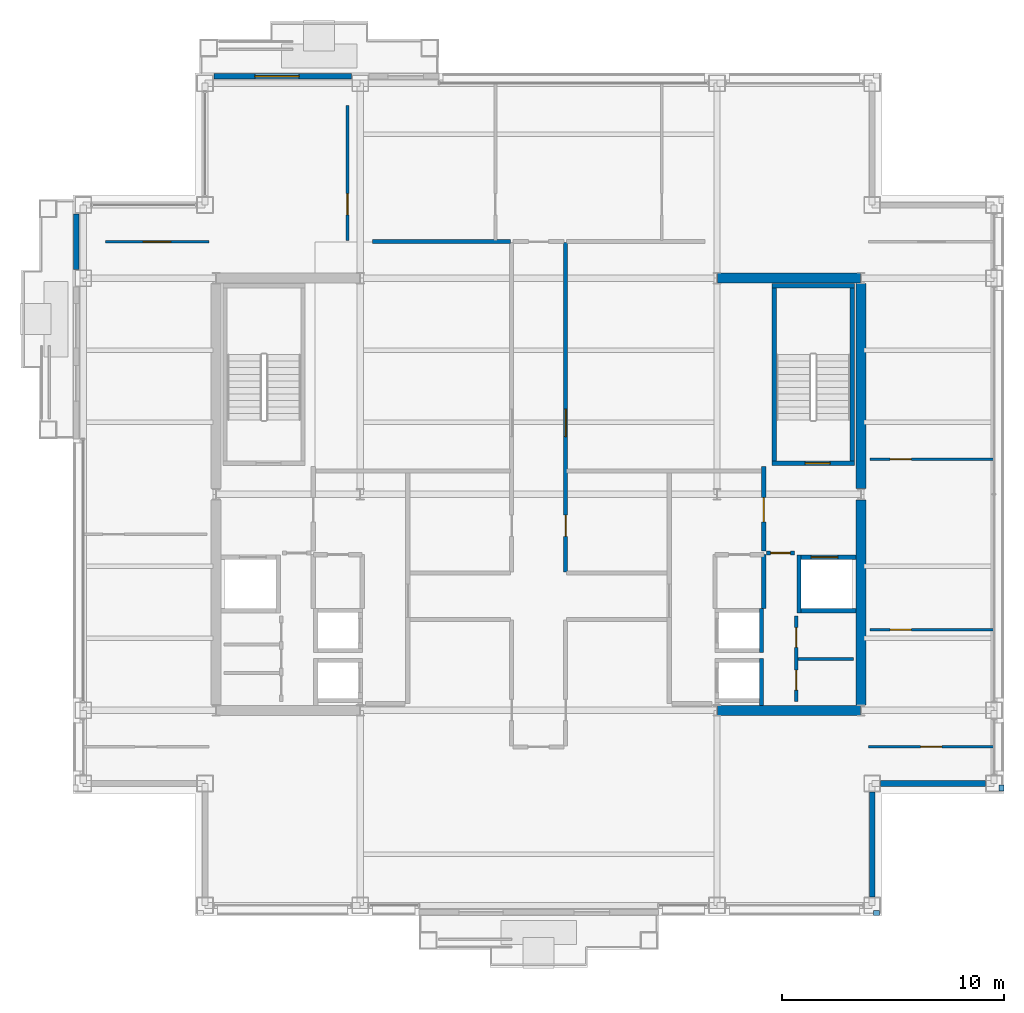
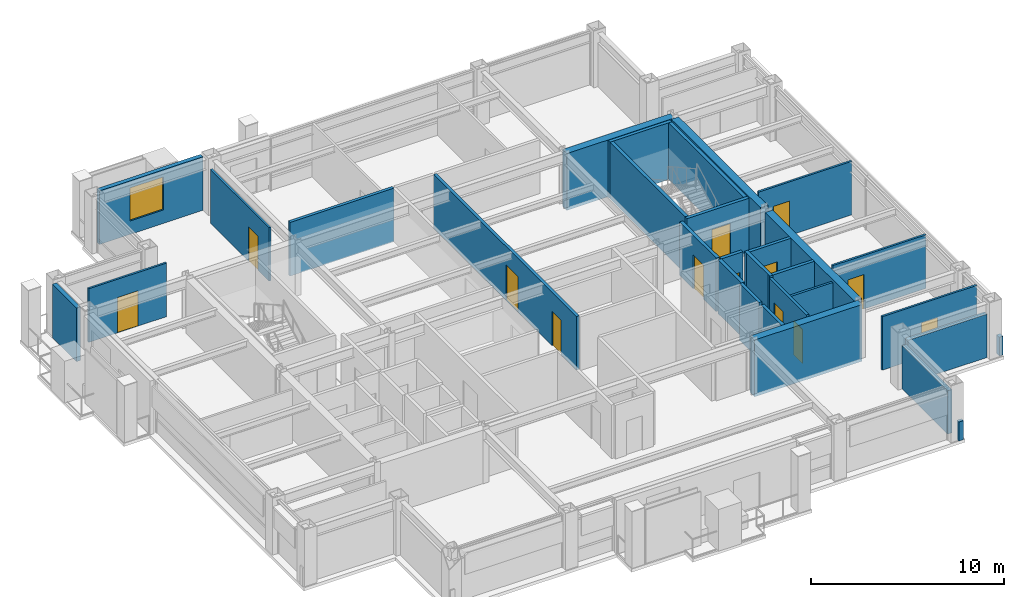
# One storey, part 26 of 30: 31 walls, 13 doors, 1 window, 14 openings.
"""IFC4 building model written with IfcOpenShell, lengths in metres."""

from ifc_helpers import new_model, si_unit, direction, frame, frame_2d, origin, place, context, subcontext, project, spatial, rectangle, extrude, material, layer, layer_set, type_object, element, fill, save


model = new_model("IFC4")

# Units and contexts
model_context = context("Model", 3, precision=1e-05, world=origin(), true_north=direction((0.0, 1.0)))
body_context = subcontext(model_context, "Body", "Model", "MODEL_VIEW")
ifc_project = project(units=[si_unit("LENGTHUNIT", "METRE"), si_unit("AREAUNIT", "SQUARE_METRE"), si_unit("VOLUMEUNIT", "CUBIC_METRE"), si_unit("PLANEANGLEUNIT", "RADIAN"), si_unit("MASSUNIT", "GRAM", prefix="KILO")], contexts=[model_context])

# Site, building, storey
site_placement = place(None, origin())
site = spatial("IfcSite", under=ifc_project, at=site_placement, CompositionType="ELEMENT")
building_placement = place(site_placement, origin())
building = spatial("IfcBuilding", under=site, at=building_placement, Name="Brelmoor Portico Tower", CompositionType="ELEMENT")
storey_placement = place(building_placement, frame((0.0, 0.0, 169.5)))
storey = spatial("IfcBuildingStorey", under=building, at=storey_placement, Name="L44", CompositionType="ELEMENT", Elevation=169.5)

# Walls
ifc_material_1 = material(Name="Concrete C50", Category="concrete")
ifc_layer_1 = layer(ifc_material_1, 0.449951171875)
ifc_layer_set_1 = layer_set([ifc_layer_1], Name="Concrete C50")
wall_type_1 = type_object("IfcWallType", Name="WL-CORE-450", PredefinedType="SHEAR", material=ifc_layer_set_1)
for number, where, z_axis, x_axis, name in (
    (1, (8.070068359375, -9.75, -0.199951171875), (0.0, 0.0, 1.0), (1.0, 0.0, 0.0), "L44 EC South Shear Wall"),
    (2, (8.070068359375, 9.75, -0.199951171875), (0.0, 0.0, 1.0), (1.0, 0.0, 0.0), "L44 EC North Shear Wall"),
):
    element("IfcWall", number, at=place(storey_placement, frame(where, z_axis=z_axis, x_axis=x_axis)), inside=storey, type_object=wall_type_1, Name=name, PredefinedType="SHEAR", context=body_context, shape_type="SweptSolid", body=[
        extrude(rectangle(XDim=6.4599609375, YDim=0.449951171875, at=frame_2d((3.22998046875, 0.0))), origin(), (0.0, 0.0, 1.0), 3.599853515625),
    ])
for number, where, z_axis, x_axis, name in (
    (3, (14.550048828125, -9.5, -0.199951171875), (0.0, 0.0, 1.0), (0.0, 1.0, 0.0), "L44 EC Outer South Shear Wall"),
    (4, (14.550048828125, 0.25, -0.199951171875), (0.0, 0.0, 1.0), (0.0, 1.0, 0.0), "L44 EC Outer North Shear Wall"),
):
    element("IfcWall", number, at=place(storey_placement, frame(where, z_axis=z_axis, x_axis=x_axis)), inside=storey, type_object=wall_type_1, Name=name, PredefinedType="SHEAR", context=body_context, shape_type="SweptSolid", body=[
        extrude(rectangle(XDim=9.25, YDim=0.449951171875, at=frame_2d((4.625, 0.0))), origin(), (0.0, 0.0, 1.0), 3.599853515625),
    ])

# Wall, opening, window
ifc_material_2 = material(Name="Precast Concrete C40 Insulated Facade Wall", Category="concrete")
ifc_layer_2 = layer(ifc_material_2, 0.25)
ifc_layer_set_2 = layer_set([ifc_layer_2], Name="Precast Concrete C40 Insulated Facade Wall")
wall_type_2 = type_object("IfcWallType", Name="WL-EXT-250", PredefinedType="STANDARD", material=ifc_layer_set_2)
wall_1_placement = place(storey_placement, frame((-14.655029296875, 18.860107421875, 0.0), z_axis=(0.0, 0.0, 1.0), x_axis=(1.0, 0.0, 0.0)))
wall_1 = element("IfcWall", 5, at=wall_1_placement, inside=storey, type_object=wall_type_2, Name="L44 Loggia Threshold Wall N-1", PredefinedType="STANDARD", context=body_context, shape_type="SweptSolid", body=[
    extrude(rectangle(XDim=6.2099609375, YDim=0.25, at=frame_2d((3.10498046875, 0.0))), origin(), (0.0, 0.0, 1.0), 3.39990234375),
])
opening_1_placement = place(wall_1_placement, frame((1.85498046875, 0.0, 0.85009765625)))
opening_1 = element("IfcOpeningElement", 6, at=opening_1_placement, cuts=wall_1, Name="Opening W-03", PredefinedType="OPENING", context=body_context, shape_type="SweptSolid", body=[
    extrude(rectangle(XDim=2.0, YDim=2.10009765625, at=frame_2d((1.0, 1.050048828125))), frame((0.0, 0.135009765625, 0.0), z_axis=(0.0, -1.0, 0.0), x_axis=(1.0, 0.0, 0.0)), (0.0, 0.0, 1.0), 0.27001953125),
])
ifc_material_3 = material(Name="Thermally Broken Aluminium Low-E Window", Category="aluminium")
window_type = type_object("IfcWindowType", Name="WN-LOGGIA-2000x2100", PartitioningType="SINGLE_PANEL", PredefinedType="WINDOW", material=ifc_material_3)
window_placement = place(opening_1_placement, origin())
window = element("IfcWindow", 7, at=window_placement, inside=storey, type_object=window_type, Name="L44 Loggia Window N", OverallHeight=2.10009765625, OverallWidth=2.0, PartitioningType="SINGLE_PANEL", PredefinedType="WINDOW", context=body_context, shape_type="SweptSolid", body=[
    extrude(rectangle(XDim=2.0, YDim=2.10009765625, at=frame_2d((1.0, 1.050048828125))), frame((0.0, 0.030029296875, 0.0), z_axis=(0.0, -1.0, 0.0), x_axis=(1.0, 0.0, 0.0)), (0.0, 0.0, 1.0), 0.06005859375),
])
fill(opening_1, window)

# Walls
wall_2_placement = place(storey_placement, frame((-20.860107421875, 10.14501953125, 0.0), z_axis=(0.0, 0.0, 1.0), x_axis=(0.0, 1.0, 0.0)))
element("IfcWall", 8, at=wall_2_placement, inside=storey, type_object=wall_type_2, Name="L44 Loggia Threshold Wall W-2", PredefinedType="STANDARD", context=body_context, shape_type="SweptSolid", body=[
    extrude(rectangle(XDim=2.510009765625, YDim=0.25, at=frame_2d((1.2548828125, 0.0))), origin(), (0.0, 0.0, 1.0), 3.39990234375),
])
for number, where, z_axis, x_axis, name in (
    (9, (15.43505859375, -13.050048828125, 0.0), (0.0, 0.0, 1.0), (1.0, 0.0, 0.0), "L44 Corner Notch Facade Wall NSEH1"),
    (10, (15.050048828125, -18.1650390625, 0.0), (0.0, 0.0, 1.0), (0.0, 1.0, 0.0), "L44 Corner Notch Facade Wall NSEV1"),
):
    element("IfcWall", number, at=place(storey_placement, frame(where, z_axis=z_axis, x_axis=x_axis)), inside=storey, type_object=wall_type_2, Name=name, PredefinedType="STANDARD", context=body_context, shape_type="SweptSolid", body=[
        extrude(rectangle(XDim=4.72998046875, YDim=0.25, at=frame_2d((2.364990234375, 0.0))), origin(), (0.0, 0.0, 1.0), 2.75),
    ])
ifc_material_4 = material(Name="Concrete C40 Parapet Upstand", Category="concrete")
ifc_layer_3 = layer(ifc_material_4, 0.219970703125)
ifc_layer_set_3 = layer_set([ifc_layer_3], Name="Concrete C40 Parapet Upstand")
wall_type_3 = type_object("IfcWallType", Name="WL-PARAPET-220", PredefinedType="PARAPET", material=ifc_layer_set_3)
for number, where, z_axis, x_axis, name in (
    (11, (15.1201171875, -18.889892578125, 0.0), (0.0, 0.0, 1.0), (1.0, 0.0, 0.0), "L44 Chamfer Vertex Parapet Pier SE1"),
    (12, (20.889892578125, -13.389892578125, 0.0), (0.0, 0.0, 1.0), (0.0, 1.0, 0.0), "L44 Chamfer Vertex Parapet Pier SE2"),
):
    element("IfcWall", number, at=place(storey_placement, frame(where, z_axis=z_axis, x_axis=x_axis)), inside=storey, type_object=wall_type_3, Name=name, PredefinedType="PARAPET", context=body_context, shape_type="SweptSolid", body=[
        extrude(rectangle(XDim=0.269775390625, YDim=0.219970703125, at=frame_2d((0.134765625, 0.0))), origin(), (0.0, 0.0, 1.0), 1.199951171875),
    ])

# Wall, opening, door
ifc_material_5 = material(Name="Lightweight Gypsum Office Partition", Category="gypsum")
ifc_layer_4 = layer(ifc_material_5, 0.1201171875)
ifc_layer_set_4 = layer_set([ifc_layer_4], Name="Lightweight Gypsum Office Partition")
wall_type_4 = type_object("IfcWallType", Name="WL-PART-120", PredefinedType="PARTITIONING", material=ifc_layer_set_4)
wall_3_placement = place(storey_placement, frame((-8.624267578125, 11.4599609375, 0.0), z_axis=(0.0, 0.0, 1.0), x_axis=(0.0, 1.0, 0.0)))
wall_3 = element("IfcWall", 13, at=wall_3_placement, inside=storey, type_object=wall_type_4, Name="L44 North Suite Partition 1", PredefinedType="PARTITIONING", context=body_context, shape_type="SweptSolid", body=[
    extrude(rectangle(XDim=6.090087890625, YDim=0.1201171875, at=frame_2d((3.044921875, 0.0))), origin(), (0.0, 0.0, 1.0), 3.39990234375),
])
opening_2_placement = place(wall_3_placement, frame((1.14990234375, 0.0, 0.0)))
opening_2 = element("IfcOpeningElement", 14, at=opening_2_placement, cuts=wall_3, Name="Opening D-IN2", PredefinedType="OPENING", context=body_context, shape_type="SweptSolid", body=[
    extrude(rectangle(XDim=0.9599609375, YDim=2.179931640625, at=frame_2d((0.47998046875, 1.08984375))), frame((0.0, 0.070068359375, 0.0), z_axis=(0.0, -1.0, 0.0), x_axis=(1.0, 0.0, 0.0)), (0.0, 0.0, 1.0), 0.14013671875),
])
ifc_material_6 = material(Name="Lacquered Timber Suite Door", Category="wood")
door_type_1 = type_object("IfcDoorType", Name="DR-INT-950", OperationType="NOTDEFINED", PredefinedType="DOOR", material=ifc_material_6)
door_1_placement = place(opening_2_placement, origin())
door_1 = element("IfcDoor", 15, at=door_1_placement, inside=storey, type_object=door_type_1, Name="D-1882 L44 North Suite Connecting Door 1", OperationType="SINGLE_SWING_LEFT", OverallHeight=2.179931640625, OverallWidth=0.9599609375, PredefinedType="DOOR", context=body_context, shape_type="SweptSolid", body=[
    extrude(rectangle(XDim=0.9599609375, YDim=2.179931640625, at=frame_2d((0.47998046875, 1.08984375))), frame((0.0, 0.02490234375, 0.0), z_axis=(0.0, -1.0, 0.0), x_axis=(1.0, 0.0, 0.0)), (0.0, 0.0, 1.0), 0.050048828125),
])
fill(opening_2, door_1)

wall_4_placement = place(storey_placement, frame((-19.550048828125, 11.39990234375, 0.0), z_axis=(0.0, 0.0, 1.0), x_axis=(1.0, 0.0, 0.0)))
wall_4 = element("IfcWall", 16, at=wall_4_placement, inside=storey, type_object=wall_type_4, Name="L44 North Wing Suite Wall WL", PredefinedType="PARTITIONING", context=body_context, shape_type="SweptSolid", body=[
    extrude(rectangle(XDim=4.670166015625, YDim=0.1201171875, at=frame_2d((2.3349609375, 0.0))), origin(), (0.0, 0.0, 1.0), 3.39990234375),
])
opening_3_placement = place(wall_4_placement, frame((1.715087890625, 0.0, 0.0)))
opening_3 = element("IfcOpeningElement", 17, at=opening_3_placement, cuts=wall_4, Name="Opening D-SU1", PredefinedType="OPENING", context=body_context, shape_type="SweptSolid", body=[
    extrude(rectangle(XDim=1.239990234375, YDim=2.239990234375, at=frame_2d((0.6201171875, 1.1201171875))), frame((0.0, 0.070068359375, 0.0), z_axis=(0.0, -1.0, 0.0), x_axis=(1.0, 0.0, 0.0)), (0.0, 0.0, 1.0), 0.14013671875),
])
ifc_material_7 = material(Name="Glazed Timber Executive Suite Door", Category="wood")
door_type_2 = type_object("IfcDoorType", Name="DR-SUITE-1200", OperationType="NOTDEFINED", PredefinedType="DOOR", material=ifc_material_7)
door_2_placement = place(opening_3_placement, origin())
door_2 = element("IfcDoor", 18, at=door_2_placement, inside=storey, type_object=door_type_2, Name="D-1886 L44 WL Wing Suite Connecting Door", OperationType="SINGLE_SWING_LEFT", OverallHeight=2.239990234375, OverallWidth=1.239990234375, PredefinedType="DOOR", context=body_context, shape_type="SweptSolid", body=[
    extrude(rectangle(XDim=1.239990234375, YDim=2.239990234375, at=frame_2d((0.6201171875, 1.1201171875))), frame((0.0, 0.02490234375, 0.0), z_axis=(0.0, -1.0, 0.0), x_axis=(1.0, 0.0, 0.0)), (0.0, 0.0, 1.0), 0.050048828125),
])
fill(opening_3, door_2)

wall_5_placement = place(storey_placement, frame((14.8798828125, -11.39990234375, 0.0), z_axis=(0.0, 0.0, 1.0), x_axis=(1.0, 0.0, 0.0)))
wall_5 = element("IfcWall", 19, at=wall_5_placement, inside=storey, type_object=wall_type_4, Name="L44 South Wing Closure ER", PredefinedType="PARTITIONING", context=body_context, shape_type="SweptSolid", body=[
    extrude(rectangle(XDim=5.68017578125, YDim=0.1201171875, at=frame_2d((2.840087890625, 0.0))), origin(), (0.0, 0.0, 1.0), 3.39990234375),
])
opening_4_placement = place(wall_5_placement, frame((2.360107421875, 0.0, 0.0)))
opening_4 = element("IfcOpeningElement", 20, at=opening_4_placement, cuts=wall_5, Name="Opening D-IN2", PredefinedType="OPENING", context=body_context, shape_type="SweptSolid", body=[
    extrude(rectangle(XDim=0.9599609375, YDim=2.179931640625, at=frame_2d((0.47998046875, 1.08984375))), frame((0.0, 0.070068359375, 0.0), z_axis=(0.0, -1.0, 0.0), x_axis=(1.0, 0.0, 0.0)), (0.0, 0.0, 1.0), 0.14013671875),
])
door_3_placement = place(opening_4_placement, origin())
door_3 = element("IfcDoor", 21, at=door_3_placement, inside=storey, type_object=door_type_1, Name="D-1890 L44 ER Wing South Suite Door", OperationType="SINGLE_SWING_LEFT", OverallHeight=2.179931640625, OverallWidth=0.9599609375, PredefinedType="DOOR", context=body_context, shape_type="SweptSolid", body=[
    extrude(rectangle(XDim=0.9599609375, YDim=2.179931640625, at=frame_2d((0.47998046875, 1.08984375))), frame((0.0, 0.02490234375, 0.0), z_axis=(0.0, -1.0, 0.0), x_axis=(1.0, 0.0, 0.0)), (0.0, 0.0, 1.0), 0.050048828125),
])
fill(opening_4, door_3)

wall_6_placement = place(storey_placement, frame((14.9599609375, -6.11279296875, 0.0), z_axis=(0.0, 0.0, 1.0), x_axis=(1.0, 0.0, 0.0)))
wall_6 = element("IfcWall", 22, at=wall_6_placement, inside=storey, type_object=wall_type_4, Name="L44 E Wing Partition 1", PredefinedType="PARTITIONING", context=body_context, shape_type="SweptSolid", body=[
    extrude(rectangle(XDim=5.60009765625, YDim=0.1201171875, at=frame_2d((2.800048828125, 0.0))), origin(), (0.0, 0.0, 1.0), 3.39990234375),
])
opening_5_placement = place(wall_6_placement, frame((0.89990234375, 0.0, 0.0)))
opening_5 = element("IfcOpeningElement", 23, at=opening_5_placement, cuts=wall_6, Name="Opening D-IN2", PredefinedType="OPENING", context=body_context, shape_type="SweptSolid", body=[
    extrude(rectangle(XDim=0.9599609375, YDim=2.179931640625, at=frame_2d((0.47998046875, 1.08984375))), frame((0.0, 0.070068359375, 0.0), z_axis=(0.0, -1.0, 0.0), x_axis=(1.0, 0.0, 0.0)), (0.0, 0.0, 1.0), 0.14013671875),
])
door_4_placement = place(opening_5_placement, origin())
door_4 = element("IfcDoor", 24, at=door_4_placement, inside=storey, type_object=door_type_1, Name="D-1895 L44 E Wing Suite Connecting Door 1", OperationType="SINGLE_SWING_LEFT", OverallHeight=2.179931640625, OverallWidth=0.9599609375, PredefinedType="DOOR", context=body_context, shape_type="SweptSolid", body=[
    extrude(rectangle(XDim=0.9599609375, YDim=2.179931640625, at=frame_2d((0.47998046875, 1.08984375))), frame((0.0, 0.02490234375, 0.0), z_axis=(0.0, -1.0, 0.0), x_axis=(1.0, 0.0, 0.0)), (0.0, 0.0, 1.0), 0.050048828125),
])
fill(opening_5, door_4)

wall_7_placement = place(storey_placement, frame((14.9599609375, 1.584716796875, 0.0), z_axis=(0.0, 0.0, 1.0), x_axis=(1.0, 0.0, 0.0)))
wall_7 = element("IfcWall", 25, at=wall_7_placement, inside=storey, type_object=wall_type_4, Name="L44 E Wing Partition 2", PredefinedType="PARTITIONING", context=body_context, shape_type="SweptSolid", body=[
    extrude(rectangle(XDim=5.60009765625, YDim=0.1201171875, at=frame_2d((2.800048828125, 0.0))), origin(), (0.0, 0.0, 1.0), 3.39990234375),
])
opening_6_placement = place(wall_7_placement, frame((0.89990234375, 0.0, 0.0)))
opening_6 = element("IfcOpeningElement", 26, at=opening_6_placement, cuts=wall_7, Name="Opening D-IN2", PredefinedType="OPENING", context=body_context, shape_type="SweptSolid", body=[
    extrude(rectangle(XDim=0.9599609375, YDim=2.179931640625, at=frame_2d((0.47998046875, 1.08984375))), frame((0.0, 0.070068359375, 0.0), z_axis=(0.0, -1.0, 0.0), x_axis=(1.0, 0.0, 0.0)), (0.0, 0.0, 1.0), 0.14013671875),
])
door_5_placement = place(opening_6_placement, origin())
door_5 = element("IfcDoor", 27, at=door_5_placement, inside=storey, type_object=door_type_1, Name="D-1896 L44 E Wing Suite Connecting Door 2", OperationType="SINGLE_SWING_RIGHT", OverallHeight=2.179931640625, OverallWidth=0.9599609375, PredefinedType="DOOR", context=body_context, shape_type="SweptSolid", body=[
    extrude(rectangle(XDim=0.9599609375, YDim=2.179931640625, at=frame_2d((0.47998046875, 1.08984375))), frame((0.0, 0.02490234375, 0.0), z_axis=(0.0, -1.0, 0.0), x_axis=(1.0, 0.0, 0.0)), (0.0, 0.0, 1.0), 0.050048828125),
])
fill(opening_6, door_5)

# Wall
ifc_material_8 = material(Name="Insulated Stud Suite Partition", Category="gypsum")
ifc_layer_5 = layer(ifc_material_8, 0.139892578125)
ifc_layer_set_5 = layer_set([ifc_layer_5], Name="Insulated Stud Suite Partition")
wall_type_5 = type_object("IfcWallType", Name="WL-PART-140", PredefinedType="PARTITIONING", material=ifc_layer_set_5)
wall_8_placement = place(storey_placement, frame((11.699951171875, -7.425048828125, 0.0), z_axis=(0.0, 0.0, 1.0), x_axis=(1.0, 0.0, 0.0)))
element("IfcWall", 28, at=wall_8_placement, inside=storey, type_object=wall_type_5, Name="L44 E Core WC Divider 1", PredefinedType="PARTITIONING", context=body_context, shape_type="SweptSolid", body=[
    extrude(rectangle(XDim=2.5, YDim=0.139892578125, at=frame_2d((1.25, 0.0))), origin(), (0.0, 0.0, 1.0), 3.39990234375),
])

# Wall, openings, doors
ifc_material_9 = material(Name="Twin-Frame Acoustic Partition", Category="gypsum")
ifc_layer_6 = layer(ifc_material_9, 0.159912109375)
ifc_layer_set_6 = layer_set([ifc_layer_6], Name="Twin-Frame Acoustic Partition")
wall_type_6 = type_object("IfcWallType", Name="WL-PART-160", PredefinedType="PARTITIONING", material=ifc_layer_set_6)
wall_9_placement = place(storey_placement, frame((11.6201171875, -9.35009765625, 0.0), z_axis=(0.0, 0.0, 1.0), x_axis=(0.0, 1.0, 0.0)))
wall_9 = element("IfcWall", 29, at=wall_9_placement, inside=storey, type_object=wall_type_6, Name="L44 E Core Service Front Wall", PredefinedType="PARTITIONING", context=body_context, shape_type="SweptSolid", body=[
    extrude(rectangle(XDim=3.85009765625, YDim=0.159912109375, at=frame_2d((1.925048828125, 0.0))), origin(), (0.0, 0.0, 1.0), 3.39990234375),
])
opening_7_placement = place(wall_9_placement, frame((0.512451171875, 0.0, 0.0)))
opening_7 = element("IfcOpeningElement", 30, at=opening_7_placement, cuts=wall_9, Name="Opening D-IN1", PredefinedType="OPENING", context=body_context, shape_type="SweptSolid", body=[
    extrude(rectangle(XDim=0.89990234375, YDim=2.14990234375, at=frame_2d((0.449951171875, 1.074951171875))), frame((0.0, 0.08984375, 0.0), z_axis=(0.0, -1.0, 0.0), x_axis=(1.0, 0.0, 0.0)), (0.0, 0.0, 1.0), 0.179931640625),
])
opening_8_placement = place(wall_9_placement, frame((2.4375, 0.0, 0.0)))
opening_8 = element("IfcOpeningElement", 31, at=opening_8_placement, cuts=wall_9, Name="Opening D-IN1", PredefinedType="OPENING", context=body_context, shape_type="SweptSolid", body=[
    extrude(rectangle(XDim=0.89990234375, YDim=2.14990234375, at=frame_2d((0.449951171875, 1.074951171875))), frame((0.0, 0.08984375, 0.0), z_axis=(0.0, -1.0, 0.0), x_axis=(1.0, 0.0, 0.0)), (0.0, 0.0, 1.0), 0.179931640625),
])
door_type_3 = type_object("IfcDoorType", Name="DR-INT-900", OperationType="NOTDEFINED", PredefinedType="DOOR", material=ifc_material_6)
door_6_placement = place(opening_7_placement, origin())
door_6 = element("IfcDoor", 32, at=door_6_placement, inside=storey, type_object=door_type_3, Name="D-1868 L44 E Male WC Door", OperationType="SINGLE_SWING_LEFT", OverallHeight=2.14990234375, OverallWidth=0.89990234375, PredefinedType="DOOR", context=body_context, shape_type="SweptSolid", body=[
    extrude(rectangle(XDim=0.89990234375, YDim=2.14990234375, at=frame_2d((0.449951171875, 1.074951171875))), frame((0.0, 0.02490234375, 0.0), z_axis=(0.0, -1.0, 0.0), x_axis=(1.0, 0.0, 0.0)), (0.0, 0.0, 1.0), 0.050048828125),
])
fill(opening_7, door_6)
door_7_placement = place(opening_8_placement, origin())
door_7 = element("IfcDoor", 33, at=door_7_placement, inside=storey, type_object=door_type_3, Name="D-1869 L44 E Female WC Door", OperationType="SINGLE_SWING_RIGHT", OverallHeight=2.14990234375, OverallWidth=0.89990234375, PredefinedType="DOOR", context=body_context, shape_type="SweptSolid", body=[
    extrude(rectangle(XDim=0.89990234375, YDim=2.14990234375, at=frame_2d((0.449951171875, 1.074951171875))), frame((0.0, 0.02490234375, 0.0), z_axis=(0.0, -1.0, 0.0), x_axis=(1.0, 0.0, 0.0)), (0.0, 0.0, 1.0), 0.050048828125),
])
fill(opening_8, door_7)

# Wall
ifc_material_10 = material(Name="Acoustic Corridor Fire Partition", Category="gypsum")
ifc_layer_7 = layer(ifc_material_10, 0.179931640625)
ifc_layer_set_7 = layer_set([ifc_layer_7], Name="Acoustic Corridor Fire Partition")
wall_type_7 = type_object("IfcWallType", Name="WL-PART-180", PredefinedType="PARTITIONING", material=ifc_layer_set_7)
wall_10_placement = place(storey_placement, frame((-7.5, 11.39990234375, 0.0), z_axis=(0.0, 0.0, 1.0), x_axis=(1.0, 0.0, 0.0)))
element("IfcWall", 34, at=wall_10_placement, inside=storey, type_object=wall_type_7, Name="L44 West Reclaimed Suite North Wall", PredefinedType="PARTITIONING", context=body_context, shape_type="SweptSolid", body=[
    extrude(rectangle(XDim=6.239990234375, YDim=0.179931640625, at=frame_2d((3.1201171875, 0.0))), origin(), (0.0, 0.0, 1.0), 3.39990234375),
])

# Wall, openings, doors
wall_11_placement = place(storey_placement, frame((1.219970703125, -3.5, 0.0), z_axis=(0.0, 0.0, 1.0), x_axis=(0.0, 1.0, 0.0)))
wall_11 = element("IfcWall", 35, at=wall_11_placement, inside=storey, type_object=wall_type_7, Name="L44 Central Cross East Wall", PredefinedType="PARTITIONING", context=body_context, shape_type="SweptSolid", body=[
    extrude(rectangle(XDim=14.860107421875, YDim=0.179931640625, at=frame_2d((7.43017578125, 0.0))), origin(), (0.0, 0.0, 1.0), 3.39990234375),
])
opening_9_placement = place(wall_11_placement, frame((6.10009765625, 0.0, 0.0)))
opening_9 = element("IfcOpeningElement", 36, at=opening_9_placement, cuts=wall_11, Name="Opening D-SU1", PredefinedType="OPENING", context=body_context, shape_type="SweptSolid", body=[
    extrude(rectangle(XDim=1.239990234375, YDim=2.239990234375, at=frame_2d((0.6201171875, 1.1201171875))), frame((0.0, 0.099853515625, 0.0), z_axis=(0.0, -1.0, 0.0), x_axis=(1.0, 0.0, 0.0)), (0.0, 0.0, 1.0), 0.199951171875),
])
opening_10_placement = place(wall_11_placement, frame((1.60009765625, 0.0, 0.0)))
opening_10 = element("IfcOpeningElement", 37, at=opening_10_placement, cuts=wall_11, Name="Opening D-IN2", PredefinedType="OPENING", context=body_context, shape_type="SweptSolid", body=[
    extrude(rectangle(XDim=0.9599609375, YDim=2.179931640625, at=frame_2d((0.47998046875, 1.08984375))), frame((0.0, 0.099853515625, 0.0), z_axis=(0.0, -1.0, 0.0), x_axis=(1.0, 0.0, 0.0)), (0.0, 0.0, 1.0), 0.199951171875),
])
door_8_placement = place(opening_10_placement, origin())
door_8 = element("IfcDoor", 38, at=door_8_placement, inside=storey, type_object=door_type_1, Name="D-1862 L44 Client Project Office Door", OperationType="SINGLE_SWING_RIGHT", OverallHeight=2.179931640625, OverallWidth=0.9599609375, PredefinedType="DOOR", context=body_context, shape_type="SweptSolid", body=[
    extrude(rectangle(XDim=0.9599609375, YDim=2.179931640625, at=frame_2d((0.47998046875, 1.08984375))), frame((0.0, 0.02490234375, 0.0), z_axis=(0.0, -1.0, 0.0), x_axis=(1.0, 0.0, 0.0)), (0.0, 0.0, 1.0), 0.050048828125),
])
fill(opening_10, door_8)
door_9_placement = place(opening_9_placement, origin())
door_9 = element("IfcDoor", 39, at=door_9_placement, inside=storey, type_object=door_type_2, Name="D-1863 L44 East Reclaimed Studio Door", OperationType="SINGLE_SWING_LEFT", OverallHeight=2.239990234375, OverallWidth=1.239990234375, PredefinedType="DOOR", context=body_context, shape_type="SweptSolid", body=[
    extrude(rectangle(XDim=1.239990234375, YDim=2.239990234375, at=frame_2d((0.6201171875, 1.1201171875))), frame((0.0, 0.02490234375, 0.0), z_axis=(0.0, -1.0, 0.0), x_axis=(1.0, 0.0, 0.0)), (0.0, 0.0, 1.0), 0.050048828125),
])
fill(opening_9, door_9)

# Wall, opening, door
ifc_material_11 = material(Name="Double-Stud Gypsum Fire Partition", Category="gypsum")
ifc_layer_8 = layer(ifc_material_11, 0.199951171875)
ifc_layer_set_8 = layer_set([ifc_layer_8], Name="Double-Stud Gypsum Fire Partition")
wall_type_8 = type_object("IfcWallType", Name="WL-PART-200", PredefinedType="PARTITIONING", material=ifc_layer_set_8)
wall_12_placement = place(storey_placement, frame((10.159912109375, -2.550048828125, 0.0), z_axis=(0.0, 0.0, 1.0), x_axis=(0.0, 1.0, 0.0)))
wall_12 = element("IfcWall", 40, at=wall_12_placement, inside=storey, type_object=wall_type_8, Name="L44 E Firefighting Lobby Wall", PredefinedType="PARTITIONING", context=body_context, shape_type="SweptSolid", body=[
    extrude(rectangle(XDim=3.800048828125, YDim=0.199951171875, at=frame_2d((1.89990234375, 0.0))), origin(), (0.0, 0.0, 1.0), 3.39990234375),
])
opening_11_placement = place(wall_12_placement, frame((1.300048828125, 0.0, 0.0)))
opening_11 = element("IfcOpeningElement", 41, at=opening_11_placement, cuts=wall_12, Name="Opening D-FR1", PredefinedType="OPENING", context=body_context, shape_type="SweptSolid", body=[
    extrude(rectangle(XDim=1.10009765625, YDim=2.14990234375, at=frame_2d((0.550048828125, 1.074951171875))), frame((0.0, 0.10986328125, 0.0), z_axis=(0.0, -1.0, 0.0), x_axis=(1.0, 0.0, 0.0)), (0.0, 0.0, 1.0), 0.219970703125),
])
ifc_material_12 = material(Name="Painted Galvanised Steel Fire Door", Category="steel")
door_type_4 = type_object("IfcDoorType", Name="DR-FIRE-1100", OperationType="NOTDEFINED", PredefinedType="DOOR", material=ifc_material_12)
door_10_placement = place(opening_11_placement, origin())
door_10 = element("IfcDoor", 42, at=door_10_placement, inside=storey, type_object=door_type_4, Name="D-1877 L44 E Firefighting Lobby Door", OperationType="SINGLE_SWING_RIGHT", OverallHeight=2.14990234375, OverallWidth=1.10009765625, PredefinedType="DOOR", context=body_context, shape_type="SweptSolid", body=[
    extrude(rectangle(XDim=1.10009765625, YDim=2.14990234375, at=frame_2d((0.550048828125, 1.074951171875))), frame((0.0, 0.02490234375, 0.0), z_axis=(0.0, -1.0, 0.0), x_axis=(1.0, 0.0, 0.0)), (0.0, 0.0, 1.0), 0.050048828125),
])
fill(opening_11, door_10)

wall_13_placement = place(storey_placement, frame((10.280029296875, -2.64990234375, 0.0), z_axis=(0.0, 0.0, 1.0), x_axis=(1.0, 0.0, 0.0)))
wall_13 = element("IfcWall", 43, at=wall_13_placement, inside=storey, type_object=wall_type_8, Name="L44 E Firefighting Lobby South Wall", PredefinedType="PARTITIONING", context=body_context, shape_type="SweptSolid", body=[
    extrude(rectangle(XDim=1.27001953125, YDim=0.199951171875, at=frame_2d((0.635009765625, 0.0))), origin(), (0.0, 0.0, 1.0), 3.39990234375),
])
opening_12_placement = place(wall_13_placement, frame((0.18505859375, 0.0, 0.0)))
opening_12 = element("IfcOpeningElement", 44, at=opening_12_placement, cuts=wall_13, Name="Opening D-IN1", PredefinedType="OPENING", context=body_context, shape_type="SweptSolid", body=[
    extrude(rectangle(XDim=0.89990234375, YDim=2.14990234375, at=frame_2d((0.449951171875, 1.074951171875))), frame((0.0, 0.10986328125, 0.0), z_axis=(0.0, -1.0, 0.0), x_axis=(1.0, 0.0, 0.0)), (0.0, 0.0, 1.0), 0.219970703125),
])
door_11_placement = place(opening_12_placement, origin())
door_11 = element("IfcDoor", 45, at=door_11_placement, inside=storey, type_object=door_type_3, Name="D-1870 L44 E Core Service Vestibule Door", OperationType="SINGLE_SWING_LEFT", OverallHeight=2.14990234375, OverallWidth=0.89990234375, PredefinedType="DOOR", context=body_context, shape_type="SweptSolid", body=[
    extrude(rectangle(XDim=0.89990234375, YDim=2.14990234375, at=frame_2d((0.449951171875, 1.074951171875))), frame((0.0, 0.02490234375, 0.0), z_axis=(0.0, -1.0, 0.0), x_axis=(1.0, 0.0, 0.0)), (0.0, 0.0, 1.0), 0.050048828125),
])
fill(opening_12, door_11)

# Walls
wall_14_placement = place(storey_placement, frame((10.159912109375, -5.159912109375, 0.0), z_axis=(0.0, 0.0, 1.0), x_axis=(0.0, 1.0, 0.0)))
element("IfcWall", 46, at=wall_14_placement, inside=storey, type_object=wall_type_8, Name="L44 E Electrical Switchgear Closet Outer Wall", PredefinedType="PARTITIONING", context=body_context, shape_type="SweptSolid", body=[
    extrude(rectangle(XDim=2.43994140625, YDim=0.199951171875, at=frame_2d((1.219970703125, 0.0))), origin(), (0.0, 0.0, 1.0), 3.39990234375),
])
ifc_material_13 = material(Name="Precast Concrete C40", Category="concrete")
ifc_layer_9 = layer(ifc_material_13, 0.18994140625)
ifc_layer_set_9 = layer_set([ifc_layer_9], Name="Precast Concrete C40")
wall_type_9 = type_object("IfcWallType", Name="WL-SHAFT-180", PredefinedType="SOLIDWALL", material=ifc_layer_set_9)
wall_15_placement = place(storey_placement, frame((10.054931640625, -9.52001953125, -0.199951171875), z_axis=(0.0, 0.0, 1.0), x_axis=(0.0, 1.0, 0.0)))
element("IfcWall", 47, at=wall_15_placement, inside=storey, type_object=wall_type_9, Name="L44 Lift PH3 Hoistway Back Wall", PredefinedType="SOLIDWALL", context=body_context, shape_type="SweptSolid", body=[
    extrude(rectangle(XDim=2.1201171875, YDim=0.18994140625, at=frame_2d((1.06005859375, 0.0))), origin(), (0.0, 0.0, 1.0), 3.599853515625),
])
wall_16_placement = place(storey_placement, frame((10.054931640625, -7.14990234375, -0.199951171875), z_axis=(0.0, 0.0, 1.0), x_axis=(0.0, 1.0, 0.0)))
element("IfcWall", 48, at=wall_16_placement, inside=storey, type_object=wall_type_9, Name="L44 Lift PH4 Hoistway Back Wall", PredefinedType="SOLIDWALL", context=body_context, shape_type="SweptSolid", body=[
    extrude(rectangle(XDim=2.0, YDim=0.18994140625, at=frame_2d((1.0, 0.0))), origin(), (0.0, 0.0, 1.0), 3.599853515625),
])

# Wall, opening, door
wall_17_placement = place(storey_placement, frame((11.64990234375, -2.844970703125, -0.199951171875), z_axis=(0.0, 0.0, 1.0), x_axis=(1.0, 0.0, 0.0)))
wall_17 = element("IfcWall", 49, at=wall_17_placement, inside=storey, type_object=wall_type_9, Name="L44 Lift FF2 Hoistway Front Wall", PredefinedType="SOLIDWALL", context=body_context, shape_type="SweptSolid", body=[
    extrude(rectangle(XDim=2.68017578125, YDim=0.18994140625, at=frame_2d((1.340087890625, 0.0))), origin(), (0.0, 0.0, 1.0), 3.599853515625),
])
opening_13_placement = place(wall_17_placement, frame((0.64990234375, 0.0, 0.199951171875)))
opening_13 = element("IfcOpeningElement", 50, at=opening_13_placement, cuts=wall_17, Name="Opening LD-02", PredefinedType="OPENING", context=body_context, shape_type="SweptSolid", body=[
    extrude(rectangle(XDim=1.199951171875, YDim=2.199951171875, at=frame_2d((0.60009765625, 1.10009765625))), frame((0.0, 0.10498046875, 0.0), z_axis=(0.0, -1.0, 0.0), x_axis=(1.0, 0.0, 0.0)), (0.0, 0.0, 1.0), 0.2099609375),
])
ifc_material_14 = material(Name="Brushed Stainless Steel Firefighting Lift Door", Category="steel")
door_type_5 = type_object("IfcDoorType", Name="DR-LIFT-1200", OperationType="NOTDEFINED", PredefinedType="DOOR", material=ifc_material_14)
door_12_placement = place(opening_13_placement, origin())
door_12 = element("IfcDoor", 51, at=door_12_placement, inside=storey, type_object=door_type_5, Name="D-1899 L44 Lift FF2 Sliding Landing Door", OperationType="SLIDING_TO_LEFT", OverallHeight=2.199951171875, OverallWidth=1.199951171875, PredefinedType="DOOR", context=body_context, shape_type="SweptSolid", body=[
    extrude(rectangle(XDim=1.199951171875, YDim=2.199951171875, at=frame_2d((0.60009765625, 1.10009765625))), frame((0.0, 0.02490234375, 0.0), z_axis=(0.0, -1.0, 0.0), x_axis=(1.0, 0.0, 0.0)), (0.0, 0.0, 1.0), 0.050048828125),
])
fill(opening_13, door_12)

# Walls
wall_18_placement = place(storey_placement, frame((11.64990234375, -5.2548828125, -0.199951171875), z_axis=(0.0, 0.0, 1.0), x_axis=(1.0, 0.0, 0.0)))
element("IfcWall", 52, at=wall_18_placement, inside=storey, type_object=wall_type_9, Name="L44 Firefighting Lift FF2 South Wall", PredefinedType="SOLIDWALL", context=body_context, shape_type="SweptSolid", body=[
    extrude(rectangle(XDim=2.68017578125, YDim=0.18994140625, at=frame_2d((1.340087890625, 0.0))), origin(), (0.0, 0.0, 1.0), 3.599853515625),
])
wall_19_placement = place(storey_placement, frame((11.7451171875, -5.35009765625, -0.199951171875), z_axis=(0.0, 0.0, 1.0), x_axis=(0.0, 1.0, 0.0)))
element("IfcWall", 53, at=wall_19_placement, inside=storey, type_object=wall_type_9, Name="L44 Firefighting Lift FF2 Inner Wall", PredefinedType="SOLIDWALL", context=body_context, shape_type="SweptSolid", body=[
    extrude(rectangle(XDim=2.60009765625, YDim=0.18994140625, at=frame_2d((1.300048828125, 0.0))), origin(), (0.0, 0.0, 1.0), 3.599853515625),
])
ifc_material_15 = material(Name="Concrete C40", Category="concrete")
ifc_layer_10 = layer(ifc_material_15, 0.199951171875)
ifc_layer_set_10 = layer_set([ifc_layer_10], Name="Concrete C40")
wall_type_10 = type_object("IfcWallType", Name="WL-SHAFT-RC200", PredefinedType="SOLIDWALL", material=ifc_layer_set_10)
wall_20_placement = place(storey_placement, frame((14.14990234375, 1.5, -0.199951171875), z_axis=(0.0, 0.0, 1.0), x_axis=(0.0, 1.0, 0.0)))
element("IfcWall", 54, at=wall_20_placement, inside=storey, type_object=wall_type_10, Name="L44 ST-E Structural Stair Wall Outer", PredefinedType="SOLIDWALL", context=body_context, shape_type="SweptSolid", body=[
    extrude(rectangle(XDim=7.800048828125, YDim=0.199951171875, at=frame_2d((3.89990234375, 0.0))), origin(), (0.0, 0.0, 1.0), 3.599853515625),
])

# Wall, opening, door
wall_21_placement = place(storey_placement, frame((10.530029296875, 1.39990234375, -0.199951171875), z_axis=(0.0, 0.0, 1.0), x_axis=(1.0, 0.0, 0.0)))
wall_21 = element("IfcWall", 55, at=wall_21_placement, inside=storey, type_object=wall_type_10, Name="L44 ST-E Structural Stair Wall S", PredefinedType="SOLIDWALL", context=body_context, shape_type="SweptSolid", body=[
    extrude(rectangle(XDim=3.719970703125, YDim=0.199951171875, at=frame_2d((1.85986328125, 0.0))), origin(), (0.0, 0.0, 1.0), 3.599853515625),
])
opening_14_placement = place(wall_21_placement, frame((1.5, 0.0, 0.199951171875)))
opening_14 = element("IfcOpeningElement", 56, at=opening_14_placement, cuts=wall_21, Name="Opening D-ST1", PredefinedType="OPENING", context=body_context, shape_type="SweptSolid", body=[
    extrude(rectangle(XDim=1.1201171875, YDim=2.179931640625, at=frame_2d((0.56005859375, 1.08984375))), frame((0.0, 0.10986328125, 0.0), z_axis=(0.0, -1.0, 0.0), x_axis=(1.0, 0.0, 0.0)), (0.0, 0.0, 1.0), 0.219970703125),
])
door_type_6 = type_object("IfcDoorType", Name="DR-STAIR-1100", OperationType="NOTDEFINED", PredefinedType="DOOR", material=ifc_material_12)
door_13_placement = place(opening_14_placement, origin())
door_13 = element("IfcDoor", 57, at=door_13_placement, inside=storey, type_object=door_type_6, Name="D-1888 L44 ST-E Protected Exit Stair Door", OperationType="SINGLE_SWING_RIGHT", OverallHeight=2.179931640625, OverallWidth=1.1201171875, PredefinedType="DOOR", context=body_context, shape_type="SweptSolid", body=[
    extrude(rectangle(XDim=1.1201171875, YDim=2.179931640625, at=frame_2d((0.56005859375, 1.08984375))), frame((0.0, 0.02490234375, 0.0), z_axis=(0.0, -1.0, 0.0), x_axis=(1.0, 0.0, 0.0)), (0.0, 0.0, 1.0), 0.050048828125),
])
fill(opening_14, door_13)

# Walls
wall_22_placement = place(storey_placement, frame((10.530029296875, 9.39990234375, -0.199951171875), z_axis=(0.0, 0.0, 1.0), x_axis=(1.0, 0.0, 0.0)))
element("IfcWall", 58, at=wall_22_placement, inside=storey, type_object=wall_type_10, Name="L44 ST-E Structural Stair Wall N", PredefinedType="SOLIDWALL", context=body_context, shape_type="SweptSolid", body=[
    extrude(rectangle(XDim=3.719970703125, YDim=0.199951171875, at=frame_2d((1.85986328125, 0.0))), origin(), (0.0, 0.0, 1.0), 3.599853515625),
])
wall_23_placement = place(storey_placement, frame((10.6298828125, 1.5, -0.199951171875), z_axis=(0.0, 0.0, 1.0), x_axis=(0.0, 1.0, 0.0)))
element("IfcWall", 59, at=wall_23_placement, inside=storey, type_object=wall_type_10, Name="L44 ST-E Structural Stair Wall Inner", PredefinedType="SOLIDWALL", context=body_context, shape_type="SweptSolid", body=[
    extrude(rectangle(XDim=7.800048828125, YDim=0.199951171875, at=frame_2d((3.89990234375, 0.0))), origin(), (0.0, 0.0, 1.0), 3.599853515625),
])

save(model, "model.ifc")
